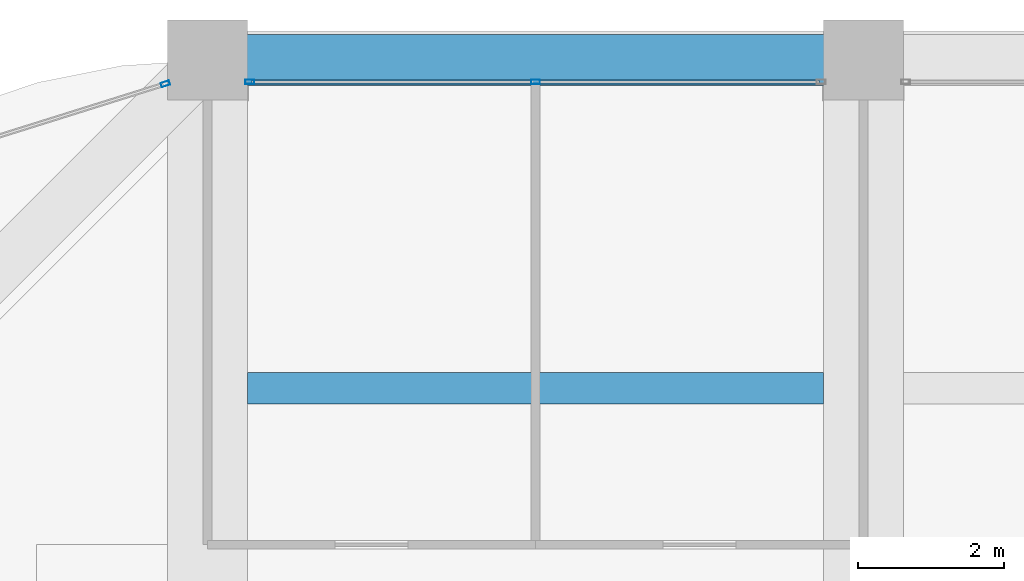
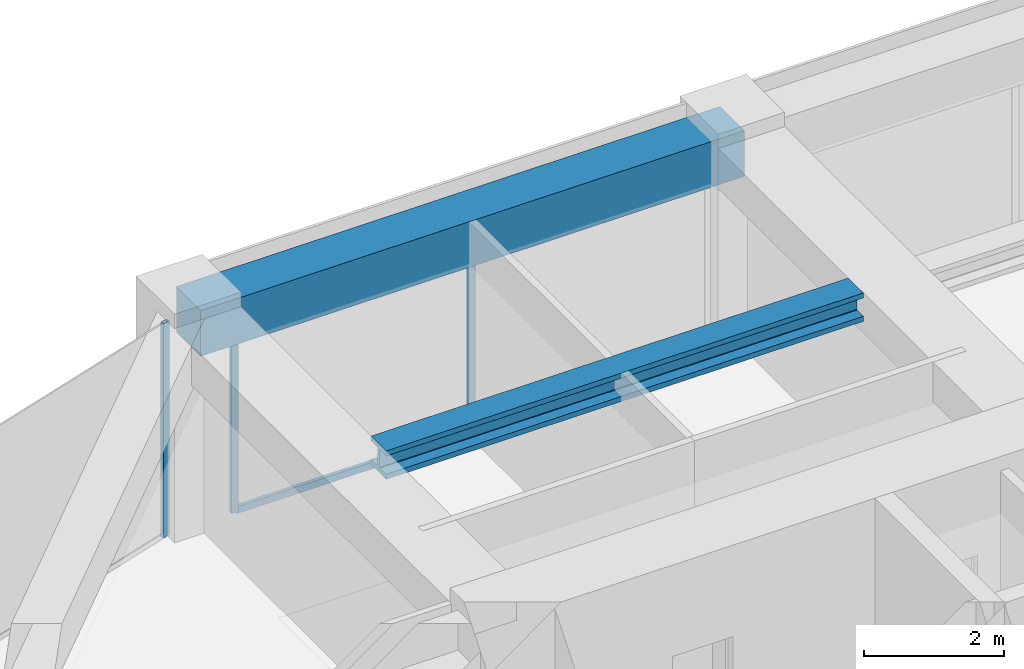
# One storey, part 31 of 44: 4 members, 2 beams, 2 elements without a shape of their own.
"""IFC4 building model written with IfcOpenShell, lengths in metres."""

import ifcopenshell
import ifcopenshell.guid

model = None  # the IFC model being written
_history = None  # IfcOwnerHistory: only IFC2X3 demands one
_inside = {}  # id of a spatial element -> (the spatial element, [elements in it])
_under = {}  # id of a project, library or spatial element -> (it, [spatial elements below it])
_declared = {}  # id of a project -> (the project, [libraries it declares])
_typed = {}  # id of a type object -> (the type object, [elements of that type])
_made_of = {}  # id of a material, layer set ... -> (it, [elements and type objects made of it])


def new_model(schema):
    """Start an empty IFC model of exactly this schema.

    Asked for "IFC4X3", IfcOpenShell would pick the latest addendum, in which some entities
    have other attributes; the version numbers below select the first issue.
    IFC2X3 requires an IfcOwnerHistory on every rooted entity: one is made here for all.
    """
    global model, _history
    if schema == "IFC4X3":
        model = ifcopenshell.file(schema_version=(4, 3, 0, 0))
    else:
        model = ifcopenshell.file(schema=schema)
    _inside.clear()
    _under.clear()
    _declared.clear()
    _typed.clear()
    _made_of.clear()
    _history = None
    if model.schema == "IFC2X3":
        org = make("IfcOrganization", Name="unknown")
        user = make(
            "IfcPersonAndOrganization",
            ThePerson=make("IfcPerson", FamilyName="unknown"),
            TheOrganization=org,
        )
        app = make(
            "IfcApplication",
            ApplicationDeveloper=org,
            Version="unknown",
            ApplicationFullName="unknown",
            ApplicationIdentifier="unknown",
        )
        _history = make(
            "IfcOwnerHistory",
            OwningUser=user,
            OwningApplication=app,
            ChangeAction="ADDED",
            CreationDate=0,
        )
    return model


def make(cls, **values):
    """One entity of the class cls with the attributes given. An attribute that is None is left unset."""
    return model.create_entity(
        cls, **{name: value for name, value in values.items() if value is not None}
    )


def rooted(cls, **values):
    """An entity with a GlobalId (a new one), such as an element, a storey or a relation."""
    return make(cls, GlobalId=ifcopenshell.guid.new(), OwnerHistory=_history, **values)


def si_unit(unit_type, name, prefix=None):
    """IfcSIUnit, for example si_unit("LENGTHUNIT", "METRE", prefix="MILLI")."""
    return make("IfcSIUnit", UnitType=unit_type, Prefix=prefix, Name=name)


def assignment(units):
    """IfcUnitAssignment: the units of a project."""
    return None if units is None else make("IfcUnitAssignment", Units=units)


def point(xyz):
    """IfcCartesianPoint."""
    return None if xyz is None else make("IfcCartesianPoint", Coordinates=xyz)


def direction(xyz):
    """IfcDirection."""
    return None if xyz is None else make("IfcDirection", DirectionRatios=xyz)


def frame(location, z_axis=None, x_axis=None):
    """IfcAxis2Placement3D, a coordinate frame: its origin and axes. An axis left out is left unset."""
    return make(
        "IfcAxis2Placement3D",
        Location=point(location),
        Axis=direction(z_axis),
        RefDirection=direction(x_axis),
    )


def frame_2d(location, x_axis=None):
    """IfcAxis2Placement2D, a coordinate frame in the plane: its origin and x axis."""
    return make(
        "IfcAxis2Placement2D", Location=point(location), RefDirection=direction(x_axis)
    )


def origin():
    """The frame at (0, 0, 0) with its axes left unset."""
    return frame((0.0, 0.0, 0.0))


def origin_2d():
    """The frame at (0, 0) in the plane with its x axis left unset."""
    return frame_2d((0.0, 0.0))


def place(relative_to, where):
    """IfcLocalPlacement: puts the frame where relative to a parent placement (None: the world)."""
    return make(
        "IfcLocalPlacement", PlacementRelTo=relative_to, RelativePlacement=where
    )


def context(
    kind, dimensions, precision=None, world=None, true_north=None, identifier=None
):
    """IfcGeometricRepresentationContext, for example the 3D "Model" context."""
    return make(
        "IfcGeometricRepresentationContext",
        ContextIdentifier=identifier,
        ContextType=kind,
        CoordinateSpaceDimension=dimensions,
        Precision=precision,
        WorldCoordinateSystem=world,
        TrueNorth=true_north,
    )


def subcontext(parent, identifier, kind, view, scale=None):
    """IfcGeometricRepresentationSubContext, for example "Body" below "Model"."""
    return make(
        "IfcGeometricRepresentationSubContext",
        ContextIdentifier=identifier,
        ContextType=kind,
        ParentContext=parent,
        TargetScale=scale,
        TargetView=view,
    )


def project(units=None, contexts=None):
    """IfcProject with its units and contexts."""
    return rooted(
        "IfcProject",
        Name="project",
        RepresentationContexts=contexts,
        UnitsInContext=assignment(units),
    )


def spatial(cls, under=None, at=None, **own):
    """A site, building, storey or space (cls), placed at a placement, below another one or the project."""
    s = rooted(cls, ObjectPlacement=at, **own)
    if under is not None:
        _under.setdefault(under.id(), (under, []))[1].append(s)
    return s


def profile(cls, at=None, kind="AREA", **sizes):
    """A parametric profile (cls). Its sizes go by their IFC names, for example OverallWidth=200.0."""
    return make(cls, ProfileType=kind, Position=at, **sizes)


def rectangle(**sizes):
    """IfcRectangleProfileDef."""
    return profile("IfcRectangleProfileDef", **sizes)


def hollow_rectangle(**sizes):
    """IfcRectangleHollowProfileDef."""
    return profile("IfcRectangleHollowProfileDef", **sizes)


def i_section(**sizes):
    """IfcIShapeProfileDef."""
    return profile("IfcIShapeProfileDef", **sizes)


def extrude(swept, where, along, depth):
    """IfcExtrudedAreaSolid: the profile swept, set in the frame where, extruded along a direction by depth."""
    return make(
        "IfcExtrudedAreaSolid",
        SweptArea=swept,
        Position=where,
        ExtrudedDirection=direction(along),
        Depth=depth,
    )


def shape(context_of_items, identifier, shape_type, items):
    """IfcShapeRepresentation: the items that make up one representation, for example the "Body"."""
    return make(
        "IfcShapeRepresentation",
        ContextOfItems=context_of_items,
        RepresentationIdentifier=identifier,
        RepresentationType=shape_type,
        Items=items,
    )


def material(Name=None, Category=None):
    """IfcMaterial."""
    return make("IfcMaterial", Name=Name, Category=Category)


def material_profile(
    of_material, cross_section, Name=None, Category=None, Priority=None
):
    """IfcMaterialProfile: a cross section and its material."""
    return make(
        "IfcMaterialProfile",
        Name=Name,
        Material=of_material,
        Profile=cross_section,
        Priority=Priority,
        Category=Category,
    )


def profile_set(profiles, Name=None, composite=None):
    """IfcMaterialProfileSet."""
    return make(
        "IfcMaterialProfileSet",
        Name=Name,
        MaterialProfiles=profiles,
        CompositeProfile=composite,
    )


def made_of(thing, what):
    """Note that an element or type object is made of a material, layer set ...; save() writes the relation."""
    if what is not None:
        _made_of.setdefault(what.id(), (what, []))[1].append(thing)
    return thing


def type_object(cls, material=None, **own):
    """A type object (cls), such as IfcWallType, which elements share."""
    return made_of(rooted(cls, **own), material)


def element(
    cls,
    number,
    at=None,
    inside=None,
    cuts=None,
    type_object=None,
    material=None,
    context=None,
    identifier="Body",
    shape_type=None,
    held_by="IfcProductDefinitionShape",
    body=None,
    shapes=None,
    **own,
):
    """One element of the class cls, such as IfcWall. Its Tag is "e" and its number.

    at: its placement. inside: the storey or other place that contains it. cuts: it is an
    opening in that element (IfcRelVoidsElement). A single representation is given by context,
    identifier, shape_type and body (its items); several are given by shapes. held_by: the class
    of the entity that holds the representations. save() writes the other relations.
    """
    e = rooted(cls, Tag="e%d" % number, ObjectPlacement=at, **own)
    if body is not None:
        shapes = [shape(context, identifier, shape_type, body)]
    if shapes is not None:
        e.Representation = make(held_by, Representations=shapes)
    if inside is not None:
        _inside.setdefault(inside.id(), (inside, []))[1].append(e)
    if cuts is not None:
        rooted(
            "IfcRelVoidsElement", RelatingBuildingElement=cuts, RelatedOpeningElement=e
        )
    if type_object is not None:
        _typed.setdefault(type_object.id(), (type_object, []))[1].append(e)
    return made_of(e, material)


def aggregate(whole, parts):
    """IfcRelAggregates: a whole, such as a stair, and the parts it consists of."""
    return rooted("IfcRelAggregates", RelatingObject=whole, RelatedObjects=parts)


def save(model, path):
    """Write the relations noted so far, then the file.

    IfcRelAggregates (storeys below a building ...), IfcRelContainedInSpatialStructure (elements
    in a storey), IfcRelDefinesByType, IfcRelAssociatesMaterial and IfcRelDeclares: one each for
    every whole, place, type object, material and project.
    """
    for whole, parts in _under.values():
        aggregate(whole, parts)
    for where, things in _inside.values():
        rooted(
            "IfcRelContainedInSpatialStructure",
            RelatedElements=things,
            RelatingStructure=where,
        )
    for kind, things in _typed.values():
        rooted("IfcRelDefinesByType", RelatedObjects=things, RelatingType=kind)
    for what, things in _made_of.values():
        rooted("IfcRelAssociatesMaterial", RelatedObjects=things, RelatingMaterial=what)
    for by, libraries in _declared.values():
        rooted("IfcRelDeclares", RelatingContext=by, RelatedDefinitions=libraries)
    model.write(path)


model = new_model("IFC4")

# Units and contexts
model_context = context("Model", 3, precision=1e-05, world=origin(), true_north=direction((0.0, 1.0)))
body_context = subcontext(model_context, "Body", "Model", "MODEL_VIEW")
ifc_project = project(units=[si_unit("LENGTHUNIT", "METRE"), si_unit("AREAUNIT", "SQUARE_METRE"), si_unit("VOLUMEUNIT", "CUBIC_METRE"), si_unit("PLANEANGLEUNIT", "RADIAN"), si_unit("MASSUNIT", "GRAM", prefix="KILO")], contexts=[model_context])

# Site, building, storey
site_placement = place(None, origin())
site = spatial("IfcSite", under=ifc_project, at=site_placement, CompositionType="ELEMENT")
building_placement = place(site_placement, origin())
building = spatial("IfcBuilding", under=site, at=building_placement, Name="Zorevar Civic Tower", CompositionType="ELEMENT")
storey_placement = place(building_placement, frame((0.0, 0.0, 299.39990234375)))
storey = spatial("IfcBuildingStorey", under=building, at=storey_placement, Name="L73", CompositionType="ELEMENT", Elevation=299.39990234375)

# Curtain wall, members
ifc_material_1 = material(Name="Dark grey solar-control glass in black aluminium frame", Category="aluminium")
curtain_wall_type = type_object("IfcCurtainWallType", Name="Curtain wall CW5 top zone", PredefinedType="NOTDEFINED", material=ifc_material_1)
curtain_wall_1_placement = place(storey_placement, origin())
curtain_wall_1 = element("IfcCurtainWall", 1, at=curtain_wall_1_placement, inside=storey, type_object=curtain_wall_type, Name="CW5 L73", PredefinedType="NOTDEFINED")
ifc_material_2 = material(Name="Aluminium, black anodised", Category="aluminium")
ifc_material_profile_1 = material_profile(ifc_material_2, hollow_rectangle(XDim=0.06005859375, YDim=0.1201171875, WallThickness=0.0029296875, at=origin_2d()), Name="AL 120x60x3")
ifc_profile_set_1 = profile_set([ifc_material_profile_1], Name="Aluminium, black anodised")
member_type_1 = type_object("IfcMemberType", Name="CW5 mullion AL 120x60x3", PredefinedType="MULLION", material=ifc_profile_set_1)
member_1_placement = place(storey_placement, frame((18.580078125, 44.699951171875, 0.0), z_axis=(0.0, 0.0, 1.0), x_axis=(0.0, 1.0, 0.0)))
member_1 = element("IfcMember", 2, at=member_1_placement, type_object=member_type_1, Name="CW5 mullion 1", PredefinedType="MULLION", context=body_context, shape_type="SweptSolid", body=[
    extrude(hollow_rectangle(XDim=0.06005859375, YDim=0.1201171875, WallThickness=0.0029296875, at=origin_2d()), origin(), (0.0, 0.0, 1.0), 2.9501953125),
])
member_2_placement = place(storey_placement, frame((22.5, 44.699951171875, 0.06005859375), z_axis=(0.0, 0.0, 1.0), x_axis=(0.0, 1.0, 0.0)))
member_2 = element("IfcMember", 3, at=member_2_placement, type_object=member_type_1, Name="CW5 mullion 2", PredefinedType="MULLION", context=body_context, shape_type="SweptSolid", body=[
    extrude(hollow_rectangle(XDim=0.06005859375, YDim=0.1201171875, WallThickness=0.0029296875, at=origin_2d()), origin(), (0.0, 0.0, 1.0), 2.89013671875),
])

# Curtain wall, member
curtain_wall_2_placement = place(storey_placement, origin())
curtain_wall_2 = element("IfcCurtainWall", 4, at=curtain_wall_2_placement, inside=storey, type_object=curtain_wall_type, Name="CW5 L73", PredefinedType="NOTDEFINED")
member_3_placement = place(storey_placement, frame((17.42138671875, 44.673583984375, 0.0), z_axis=(0.0, 0.0, 1.0), x_axis=(0.299317920238, -0.954153437674, 0.0)))
member_3 = element("IfcMember", 5, at=member_3_placement, type_object=member_type_1, Name="CW5 mullion 1", PredefinedType="MULLION", context=body_context, shape_type="SweptSolid", body=[
    extrude(hollow_rectangle(XDim=0.06005859375, YDim=0.1201171875, WallThickness=0.0029296875, at=origin_2d()), origin(), (0.0, 0.0, 1.0), 3.75),
])
aggregate(curtain_wall_2, [member_3])

# Member
ifc_material_3 = material(Name="Aluminium, black anodised", Category="aluminium")
ifc_material_profile_2 = material_profile(ifc_material_3, hollow_rectangle(XDim=0.06005859375, YDim=0.1201171875, WallThickness=0.0029296875, at=origin_2d()), Name="AL 120x60x3")
ifc_profile_set_2 = profile_set([ifc_material_profile_2], Name="Aluminium, black anodised")
member_type_2 = type_object("IfcMemberType", Name="CW5 transom AL 120x60x3", PredefinedType="USERDEFINED", material=ifc_profile_set_2)
member_4_placement = place(storey_placement, frame((18.610107421875, 44.699951171875, 0.030029296875), z_axis=(1.0, 0.0, 0.0), x_axis=(0.0, 1.0, 0.0)))
member_4 = element("IfcMember", 6, at=member_4_placement, type_object=member_type_2, Name="CW5 sill transom", ObjectType="TRANSOM", PredefinedType="USERDEFINED", context=body_context, shape_type="SweptSolid", body=[
    extrude(hollow_rectangle(XDim=0.06005859375, YDim=0.1201171875, WallThickness=0.0029296875, at=origin_2d()), origin(), (0.0, 0.0, 1.0), 7.77978515625),
])

aggregate(curtain_wall_1, [member_1, member_2, member_4])

# Beams
ifc_material_4 = material(Name="Steel S460M (HISTAR 460)", Category="steel")
ifc_material_profile_3 = material_profile(ifc_material_4, i_section(OverallWidth=0.431884765625, OverallDepth=0.498046875, WebThickness=0.0556640625, FlangeThickness=0.0888671875, FilletRadius=0.014892578125, at=origin_2d()), Name="HD 400x744")
ifc_profile_set_3 = profile_set([ifc_material_profile_3], Name="Steel S460M (HISTAR 460)")
beam_type_1 = type_object("IfcBeamType", Name="Core bay beam HD 400x744", PredefinedType="BEAM", material=ifc_profile_set_3)
beam_1_placement = place(storey_placement, frame((18.550048828125, 40.5, 3.5009765625), z_axis=(1.0, 0.0, 0.0), x_axis=(0.0, 1.0, 0.0)))
element("IfcBeam", 7, at=beam_1_placement, inside=storey, type_object=beam_type_1, Name="Secondary beam L74", PredefinedType="BEAM", context=body_context, shape_type="SweptSolid", body=[
    extrude(i_section(OverallWidth=0.431884765625, OverallDepth=0.498046875, WebThickness=0.0556640625, FlangeThickness=0.0888671875, FilletRadius=0.014892578125, at=origin_2d()), origin(), (0.0, 0.0, 1.0), 7.89990234375),
])
ifc_material_5 = material(Name="Concrete C50/60", Category="concrete")
ifc_material_profile_4 = material_profile(ifc_material_5, rectangle(XDim=0.699951171875, YDim=0.800048828125, at=origin_2d()), Name="RC 700x800")
ifc_profile_set_4 = profile_set([ifc_material_profile_4], Name="Concrete C50/60")
beam_type_2 = type_object("IfcBeamType", Name="Edge beam RC 700x800", PredefinedType="SPANDREL", material=ifc_profile_set_4)
beam_2_placement = place(storey_placement, frame((18.0, 45.0, 3.35009765625), z_axis=(1.0, 0.0, 0.0), x_axis=(0.0, 1.0, 0.0)))
element("IfcBeam", 8, at=beam_2_placement, inside=storey, type_object=beam_type_2, Name="Edge beam L74", PredefinedType="SPANDREL", context=body_context, shape_type="SweptSolid", body=[
    extrude(rectangle(XDim=0.699951171875, YDim=0.800048828125, at=origin_2d()), origin(), (0.0, 0.0, 1.0), 9.0),
])

save(model, "model.ifc")
